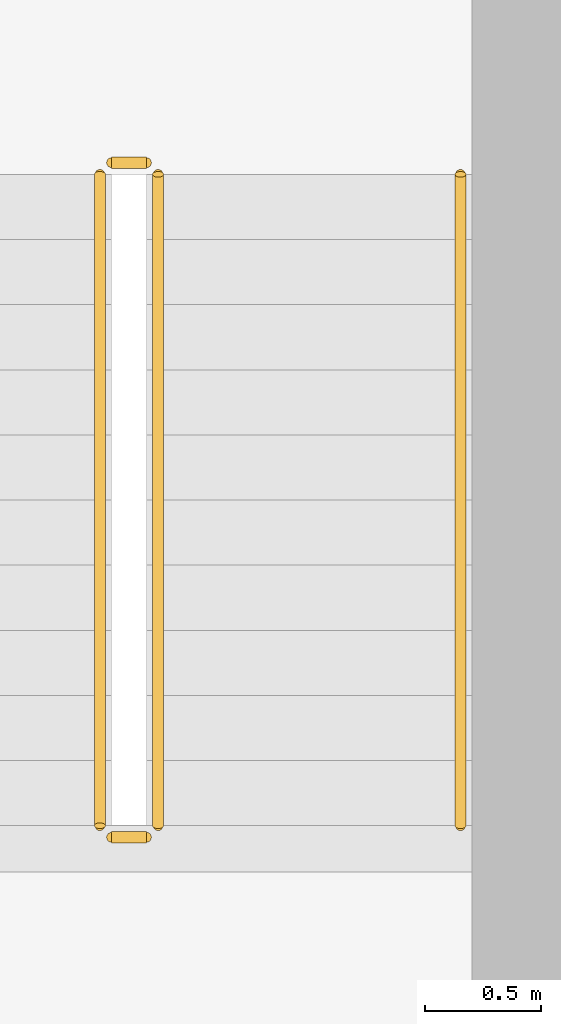
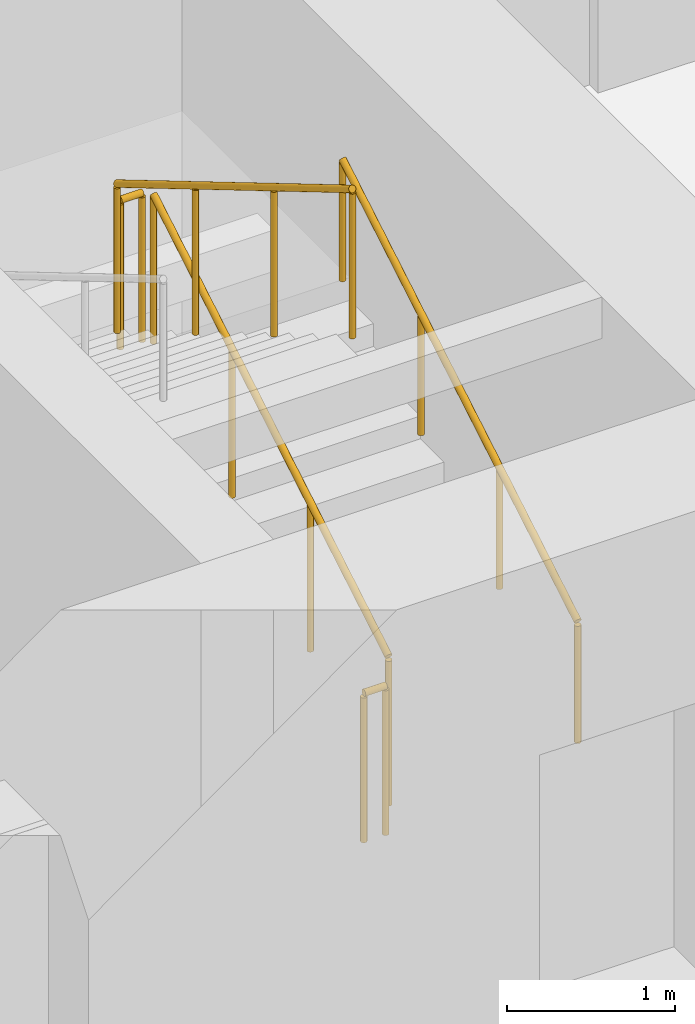
# One storey, part 39 of 51: 5 railings.
"""IFC4 building model written with IfcOpenShell, lengths in metres."""

from ifc_helpers import new_model, si_unit, direction, frame, origin, origin_2d, place, context, subcontext, project, spatial, circle, extrude, material, type_object, element, save


model = new_model("IFC4")

# Units and contexts
model_context = context("Model", 3, precision=1e-05, world=origin(), true_north=direction((0.0, 1.0)))
body_context = subcontext(model_context, "Body", "Model", "MODEL_VIEW")
ifc_project = project(units=[si_unit("LENGTHUNIT", "METRE"), si_unit("AREAUNIT", "SQUARE_METRE"), si_unit("VOLUMEUNIT", "CUBIC_METRE"), si_unit("PLANEANGLEUNIT", "RADIAN"), si_unit("MASSUNIT", "GRAM", prefix="KILO")], contexts=[model_context])

# Site, building, storey
site_placement = place(None, origin())
site = spatial("IfcSite", under=ifc_project, at=site_placement, CompositionType="ELEMENT")
building_placement = place(site_placement, origin())
building = spatial("IfcBuilding", under=site, at=building_placement, Name="Isthmus Gate Tower", CompositionType="ELEMENT")
storey_placement = place(building_placement, frame((0.0, 0.0, 36.0)))
storey = spatial("IfcBuildingStorey", under=building, at=storey_placement, Name="L06", CompositionType="ELEMENT", Elevation=36.0)

# Railings
ifc_material_1 = material(Name="Stainless steel balustrade", Category="steel")
railing_type_1 = type_object("IfcRailingType", Name="STAIR GUARD 1100", PredefinedType="GUARDRAIL", material=ifc_material_1)
railing_1_placement = place(storey_placement, frame((12.64990234375, 2.39990234375, 0.166015625)))
element("IfcRailing", 1, at=railing_1_placement, inside=storey, type_object=railing_type_1, Name="L06 ST8 stair guard 1", PredefinedType="GUARDRAIL", context=body_context, shape_type="SweptSolid", body=[
    extrude(circle(Radius=0.02392578125, at=origin_2d()), frame((0.0, 0.0, 1.076171875), z_axis=(0.0, 0.860339051648, 0.50972219513), x_axis=(-1.0, 0.0, 0.0)), (0.0, 0.0, 1.0), 3.254638671875),
    extrude(circle(Radius=0.02099609375, at=origin_2d()), origin(), (0.0, 0.0, 1.0), 1.052001953125),
    extrude(circle(Radius=0.02099609375, at=origin_2d()), frame((0.0, 0.933349609375, 0.552978515625)), (0.0, 0.0, 1.0), 1.052001953125),
    extrude(circle(Radius=0.02099609375, at=origin_2d()), frame((0.0, 1.86669921875, 1.10595703125)), (0.0, 0.0, 1.0), 1.052001953125),
    extrude(circle(Radius=0.02099609375, at=origin_2d()), frame((0.0, 2.800048828125, 1.658935546875)), (0.0, 0.0, 1.0), 1.052001953125),
])
railing_2_placement = place(storey_placement, frame((12.60009765625, 5.25, 1.824951171875)))
element("IfcRailing", 2, at=railing_2_placement, inside=storey, type_object=railing_type_1, Name="L06 ST8 stair guard 2", PredefinedType="GUARDRAIL", context=body_context, shape_type="SweptSolid", body=[
    extrude(circle(Radius=0.02392578125, at=origin_2d()), frame((0.0, 0.0, 1.076171875), z_axis=(-1.0, 0.0, 0.0), x_axis=(0.0, -1.0, 0.0)), (0.0, 0.0, 1.0), 0.150146484375),
    extrude(circle(Radius=0.02099609375, at=origin_2d()), origin(), (0.0, 0.0, 1.0), 1.052001953125),
    extrude(circle(Radius=0.02099609375, at=origin_2d()), frame((-0.150146484375, 0.0, 0.0)), (0.0, 0.0, 1.0), 1.052001953125),
])
railing_3_placement = place(storey_placement, frame((12.39990234375, 5.199951171875, 1.990966796875)))
element("IfcRailing", 3, at=railing_3_placement, inside=storey, type_object=railing_type_1, Name="L06 ST8 stair guard 3", PredefinedType="GUARDRAIL", context=body_context, shape_type="SweptSolid", body=[
    extrude(circle(Radius=0.02392578125, at=origin_2d()), frame((0.0, 0.0, 1.076171875), z_axis=(0.0, -0.860339051648, 0.50972219513), x_axis=(1.0, 0.0, 0.0)), (0.0, 0.0, 1.0), 3.254638671875),
    extrude(circle(Radius=0.02099609375, at=origin_2d()), origin(), (0.0, 0.0, 1.0), 1.052001953125),
    extrude(circle(Radius=0.02099609375, at=origin_2d()), frame((0.0, -0.933349609375, 0.552978515625)), (0.0, 0.0, 1.0), 1.052001953125),
    extrude(circle(Radius=0.02099609375, at=origin_2d()), frame((0.0, -1.86669921875, 1.10595703125)), (0.0, 0.0, 1.0), 1.052001953125),
    extrude(circle(Radius=0.02099609375, at=origin_2d()), frame((0.0, -2.800048828125, 1.658935546875)), (0.0, 0.0, 1.0), 1.052001953125),
])
railing_4_placement = place(storey_placement, frame((12.60009765625, 2.35009765625, 0.0)))
element("IfcRailing", 4, at=railing_4_placement, inside=storey, type_object=railing_type_1, Name="L06 ST8 stair guard 4", PredefinedType="GUARDRAIL", context=body_context, shape_type="SweptSolid", body=[
    extrude(circle(Radius=0.02392578125, at=origin_2d()), frame((0.0, 0.0, 1.076171875), z_axis=(-1.0, 0.0, 0.0), x_axis=(0.0, -1.0, 0.0)), (0.0, 0.0, 1.0), 0.150146484375),
    extrude(circle(Radius=0.02099609375, at=origin_2d()), origin(), (0.0, 0.0, 1.0), 1.052001953125),
    extrude(circle(Radius=0.02099609375, at=origin_2d()), frame((-0.150146484375, 0.0, 0.0)), (0.0, 0.0, 1.0), 1.052001953125),
])
ifc_material_2 = material(Name="Stainless steel handrail", Category="steel")
railing_type_2 = type_object("IfcRailingType", Name="STAIR HANDRAIL 900", PredefinedType="HANDRAIL", material=ifc_material_2)
railing_5_placement = place(storey_placement, frame((13.949951171875, 2.39990234375, 0.166015625)))
element("IfcRailing", 5, at=railing_5_placement, inside=storey, type_object=railing_type_2, Name="L06 ST8 stair handrail 1", PredefinedType="HANDRAIL", context=body_context, shape_type="SweptSolid", body=[
    extrude(circle(Radius=0.02392578125, at=origin_2d()), frame((0.0, 0.0, 0.8759765625), z_axis=(0.0, 0.860339051648, 0.50972219513), x_axis=(-1.0, 0.0, 0.0)), (0.0, 0.0, 1.0), 3.254638671875),
    extrude(circle(Radius=0.02099609375, at=origin_2d()), origin(), (0.0, 0.0, 1.0), 0.851806640625),
    extrude(circle(Radius=0.02099609375, at=origin_2d()), frame((0.0, 0.933349609375, 0.552978515625)), (0.0, 0.0, 1.0), 0.851806640625),
    extrude(circle(Radius=0.02099609375, at=origin_2d()), frame((0.0, 1.86669921875, 1.10595703125)), (0.0, 0.0, 1.0), 0.851806640625),
    extrude(circle(Radius=0.02099609375, at=origin_2d()), frame((0.0, 2.800048828125, 1.658935546875)), (0.0, 0.0, 1.0), 0.851806640625),
])

save(model, "model.ifc")
